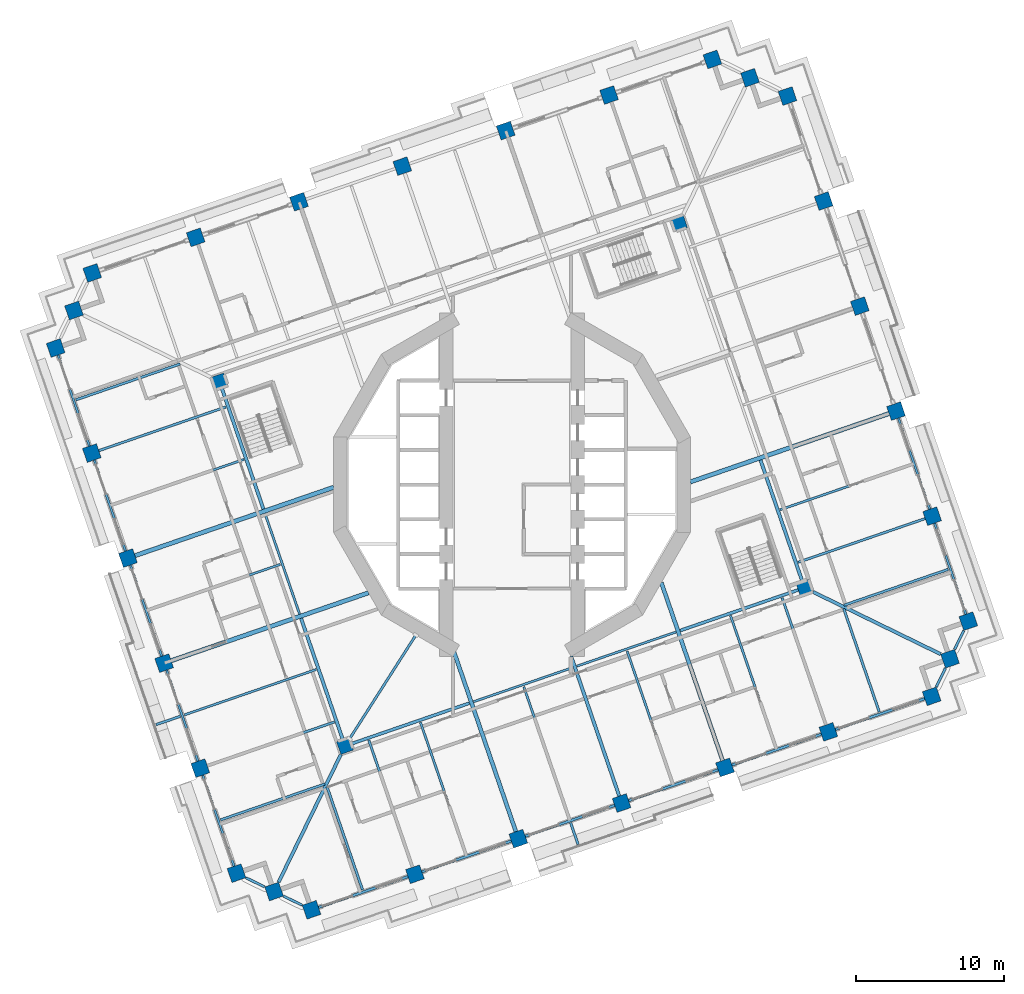
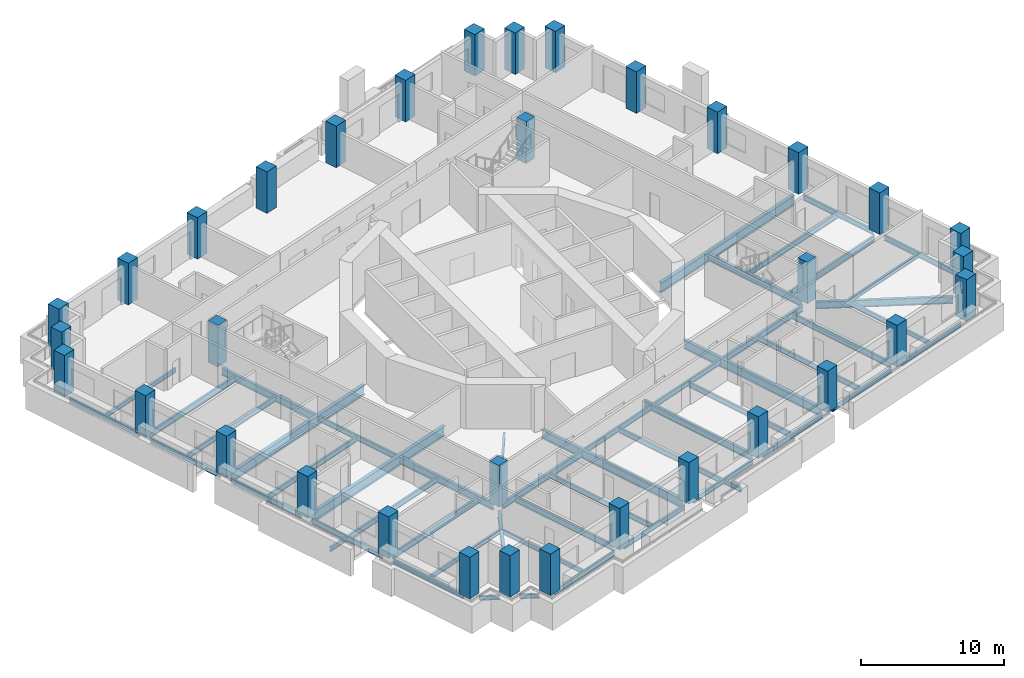
# One storey, part 1 of 18: 54 beams, 34 columns.
"""IFC4 building model written with IfcOpenShell, lengths in metres."""

from ifc_helpers import new_model, si_unit, direction, frame, origin, origin_2d, place, context, subcontext, project, spatial, rectangle, i_section, extrude, material, material_profile, profile_set, type_object, element, save


model = new_model("IFC4")

# Units and contexts
model_context = context("Model", 3, precision=1e-05, world=origin(), true_north=direction((0.0, 1.0)))
body_context = subcontext(model_context, "Body", "Model", "MODEL_VIEW")
ifc_project = project(units=[si_unit("LENGTHUNIT", "METRE"), si_unit("AREAUNIT", "SQUARE_METRE"), si_unit("VOLUMEUNIT", "CUBIC_METRE"), si_unit("PLANEANGLEUNIT", "RADIAN"), si_unit("MASSUNIT", "GRAM", prefix="KILO")], contexts=[model_context])

# Site, building, storey
site_placement = place(None, origin())
site = spatial("IfcSite", under=ifc_project, at=site_placement, CompositionType="ELEMENT")
building_placement = place(site_placement, origin())
building = spatial("IfcBuilding", under=site, at=building_placement, Name="Cantera Rosa Tower", CompositionType="ELEMENT")
storey_placement = place(building_placement, frame((0.0, 0.0, 134.5)))
storey = spatial("IfcBuildingStorey", under=building, at=storey_placement, Name="L28", CompositionType="ELEMENT", Elevation=134.5)

# Columns
ifc_material_1 = material(Name="Concrete C70/85", Category="concrete")
ifc_material_profile_1 = material_profile(ifc_material_1, rectangle(XDim=1.0, YDim=1.0, at=origin_2d()), Name="RC COLUMN RC1000X1000 C70/85")
ifc_profile_set_1 = profile_set([ifc_material_profile_1], Name="Concrete C70/85")
column_type_1 = type_object("IfcColumnType", Name="RC COLUMN RC1000X1000 C70/85", PredefinedType="COLUMN", material=ifc_profile_set_1)
for number, where, z_axis, x_axis, name in (
    (1, (30.893310546875, -9.245849609375, 0.0), (0.0, 0.0, 1.0), (0.945518575599, 0.325568154457, 0.0), "C-Z2-01 L28"),
    (2, (28.445068359375, -2.135498046875, 0.0), (0.0, 0.0, 1.0), (0.945518575599, 0.325568154457, 0.0), "C-Z2-02 L28"),
    (3, (25.996826171875, 4.974853515625, 0.0), (0.0, 0.0, 1.0), (0.945518575599, 0.325568154457, 0.0), "C-Z2-03 L28"),
    (4, (23.54833984375, 12.0849609375, 0.0), (0.0, 0.0, 1.0), (0.945518575599, 0.325568154457, 0.0), "C-Z2-04 L28"),
    (5, (21.10009765625, 19.1953125, 0.0), (0.0, 0.0, 1.0), (0.945518575599, 0.325568154457, 0.0), "C-Z2-05 L28"),
    (6, (18.65185546875, 26.3056640625, 0.0), (0.0, 0.0, 1.0), (0.945518575599, 0.325568154457, 0.0), "C-Z2-06 L28"),
    (7, (16.109619140625, 27.545654296875, 0.0), (0.0, 0.0, 1.0), (0.945518575599, 0.325568154457, 0.0), "C-Z2-07 L28"),
    (8, (13.567626953125, 28.785400390625, 0.0), (0.0, 0.0, 1.0), (0.945518575599, 0.325568154457, 0.0), "C-Z2-08 L28"),
    (9, (6.57080078125, 26.376220703125, 0.0), (0.0, 0.0, 1.0), (0.945518575599, 0.325568154457, 0.0), "C-Z2-09 L28"),
    (10, (-0.426025390625, 23.967041015625, 0.0), (0.0, 0.0, 1.0), (0.945518575599, 0.325568154457, 0.0), "C-Z2-10 L28"),
    (11, (-7.4228515625, 21.557861328125, 0.0), (0.0, 0.0, 1.0), (0.945518575599, 0.325568154457, 0.0), "C-Z2-11 L28"),
    (12, (-14.419677734375, 19.148681640625, 0.0), (0.0, 0.0, 1.0), (0.945518575599, 0.325568154457, 0.0), "C-Z2-12 L28"),
    (13, (-21.416748046875, 16.739501953125, 0.0), (0.0, 0.0, 1.0), (0.945518575599, 0.325568154457, 0.0), "C-Z2-13 L28"),
    (14, (-28.41357421875, 14.330322265625, 0.0), (0.0, 0.0, 1.0), (0.945518575599, 0.325568154457, 0.0), "C-Z2-14 L28"),
    (15, (-29.6533203125, 11.7880859375, 0.0), (0.0, 0.0, 1.0), (0.945518575599, 0.325568154457, 0.0), "C-Z2-15 L28"),
    (16, (-30.893310546875, 9.245849609375, 0.0), (0.0, 0.0, 1.0), (0.945518575599, 0.325568154457, 0.0), "C-Z2-16 L28"),
    (17, (-28.445068359375, 2.135498046875, 0.0), (0.0, 0.0, 1.0), (0.945518575599, 0.325568154457, 0.0), "C-Z2-17 L28"),
    (18, (-25.996826171875, -4.974853515625, 0.0), (0.0, 0.0, 1.0), (0.945518575599, 0.325568154457, 0.0), "C-Z2-18 L28"),
    (19, (-23.54833984375, -12.0849609375, 0.0), (0.0, 0.0, 1.0), (0.945518575599, 0.325568154457, 0.0), "C-Z2-19 L28"),
    (20, (-21.10009765625, -19.1953125, 0.0), (0.0, 0.0, 1.0), (0.945518575599, 0.325568154457, 0.0), "C-Z2-20 L28"),
    (21, (-18.65185546875, -26.3056640625, 0.0), (0.0, 0.0, 1.0), (0.945518575599, 0.325568154457, 0.0), "C-Z2-21 L28"),
    (22, (-16.109619140625, -27.545654296875, 0.0), (0.0, 0.0, 1.0), (0.945518575599, 0.325568154457, 0.0), "C-Z2-22 L28"),
    (23, (-13.567626953125, -28.785400390625, 0.0), (0.0, 0.0, 1.0), (0.945518575599, 0.325568154457, 0.0), "C-Z2-23 L28"),
    (24, (-6.57080078125, -26.376220703125, 0.0), (0.0, 0.0, 1.0), (0.945518575599, 0.325568154457, 0.0), "C-Z2-24 L28"),
    (25, (0.426025390625, -23.967041015625, 0.0), (0.0, 0.0, 1.0), (0.945518575599, 0.325568154457, 0.0), "C-Z2-25 L28"),
    (26, (7.4228515625, -21.557861328125, 0.0), (0.0, 0.0, 1.0), (0.945518575599, 0.325568154457, 0.0), "C-Z2-26 L28"),
    (27, (14.419677734375, -19.148681640625, 0.0), (0.0, 0.0, 1.0), (0.945518575599, 0.325568154457, 0.0), "C-Z2-27 L28"),
    (28, (21.416748046875, -16.739501953125, 0.0), (0.0, 0.0, 1.0), (0.945518575599, 0.325568154457, 0.0), "C-Z2-28 L28"),
    (29, (28.41357421875, -14.330322265625, 0.0), (0.0, 0.0, 1.0), (0.945518575599, 0.325568154457, 0.0), "C-Z2-29 L28"),
    (30, (29.6533203125, -11.7880859375, 0.0), (0.0, 0.0, 1.0), (0.945518575599, 0.325568154457, 0.0), "C-Z2-30 L28"),
):
    element("IfcColumn", number, at=place(storey_placement, frame(where, z_axis=z_axis, x_axis=x_axis)), inside=storey, type_object=column_type_1, Name=name, PredefinedType="COLUMN", context=body_context, shape_type="SweptSolid", body=[
        extrude(rectangle(XDim=1.0, YDim=1.0, at=origin_2d()), origin(), (0.0, 0.0, 1.0), 3.550048828125),
    ])
ifc_material_2 = material(Name="Concrete C70/85", Category="concrete")
ifc_material_profile_2 = material_profile(ifc_material_2, rectangle(XDim=0.89990234375, YDim=0.89990234375, at=origin_2d()), Name="RC RING COLUMN RC900X900 C70/85")
ifc_profile_set_2 = profile_set([ifc_material_profile_2], Name="Concrete C70/85")
column_type_2 = type_object("IfcColumnType", Name="RC RING COLUMN RC900X900 C70/85", PredefinedType="COLUMN", material=ifc_profile_set_2)
for number, where, z_axis, x_axis, name in (
    (31, (11.30517578125, 17.694580078125, 0.0), (0.0, 0.0, 1.0), (0.945518575599, 0.325568154457, 0.0), "CI-Z2-1 L28"),
    (32, (-19.802490234375, 6.9833984375, 0.0), (0.0, 0.0, 1.0), (0.945518575599, 0.325568154457, 0.0), "CI-Z2-2 L28"),
    (33, (-11.30517578125, -17.694580078125, 0.0), (0.0, 0.0, 1.0), (0.945518575599, 0.325568154457, 0.0), "CI-Z2-3 L28"),
    (34, (19.802490234375, -6.9833984375, 0.0), (0.0, 0.0, 1.0), (0.945518575599, 0.325568154457, 0.0), "CI-Z2-4 L28"),
):
    element("IfcColumn", number, at=place(storey_placement, frame(where, z_axis=z_axis, x_axis=x_axis)), inside=storey, type_object=column_type_2, Name=name, PredefinedType="COLUMN", context=body_context, shape_type="SweptSolid", body=[
        extrude(rectangle(XDim=0.89990234375, YDim=0.89990234375, at=origin_2d()), origin(), (0.0, 0.0, 1.0), 3.550048828125),
    ])

# Beams
ifc_material_3 = material(Name="Steel ASTM A992 (Fy 345 MPa)", Category="steel")
ifc_material_profile_3 = material_profile(ifc_material_3, i_section(OverallWidth=0.154052734375, OverallDepth=0.4599609375, WebThickness=0.009033203125, FlangeThickness=0.015380859375, FilletRadius=0.01025390625, at=origin_2d()), Name="W460X68")
ifc_profile_set_3 = profile_set([ifc_material_profile_3], Name="Steel ASTM A992 (Fy 345 MPa)")
beam_type_1 = type_object("IfcBeamType", Name="STEEL BEAM W460X68", PredefinedType="BEAM", material=ifc_profile_set_3)
for number, where, z_axis, x_axis, name in (
    (35, (-2.6064453125, -14.699462890625, -0.47998046875), (0.9455219702, 0.325558295653, 0.0), (-0.325558295653, 0.9455219702, 0.0), "RB-Z2-06 L28"),
    (36, (4.390380859375, -12.290283203125, -0.47998046875), (0.9455219702, 0.325558295653, 0.0), (-0.325558295653, 0.9455219702, 0.0), "RB-Z2-07 L28"),
):
    element("IfcBeam", number, at=place(storey_placement, frame(where, z_axis=z_axis, x_axis=x_axis)), inside=storey, type_object=beam_type_1, Name=name, PredefinedType="BEAM", context=body_context, shape_type="SweptSolid", body=[
        extrude(i_section(OverallWidth=0.154052734375, OverallDepth=0.4599609375, WebThickness=0.009033203125, FlangeThickness=0.015380859375, FilletRadius=0.01025390625, at=origin_2d()), origin(), (0.0, 0.0, 1.0), 7.10009765625),
    ])
beam_1_placement = place(storey_placement, frame((-14.37841796875, -8.768798828125, -0.47998046875), z_axis=(-0.325575881702, 0.94551591486, 0.0), x_axis=(-0.94551591486, -0.325575881702, 0.0)))
element("IfcBeam", 37, at=beam_1_placement, inside=storey, type_object=beam_type_1, Name="RB-Z2-13 L28", PredefinedType="BEAM", context=body_context, shape_type="SweptSolid", body=[
    extrude(i_section(OverallWidth=0.154052734375, OverallDepth=0.4599609375, WebThickness=0.009033203125, FlangeThickness=0.015380859375, FilletRadius=0.01025390625, at=origin_2d()), origin(), (0.0, 0.0, 1.0), 7.2197265625),
])
ifc_material_4 = material(Name="Steel ASTM A992 (Fy 345 MPa)", Category="steel")
ifc_material_profile_4 = material_profile(ifc_material_4, i_section(OverallWidth=0.166015625, OverallDepth=0.528076171875, WebThickness=0.009765625, FlangeThickness=0.013671875, FilletRadius=0.0126953125, at=origin_2d()), Name="W530X74")
ifc_profile_set_4 = profile_set([ifc_material_profile_4], Name="Steel ASTM A992 (Fy 345 MPa)")
beam_type_2 = type_object("IfcBeamType", Name="STEEL BEAM W530X74", PredefinedType="BEAM", material=ifc_profile_set_4)
for number, where, z_axis, x_axis, name in (
    (38, (27.97216796875, -2.29833984375, -0.513916015625), (-0.94551971591, -0.325564842737, 0.0), (0.325564842737, -0.94551971591, 0.0), "G-Z2-01 L28"),
    (39, (-6.7333984375, -25.903564453125, -0.513916015625), (-0.325588827377, 0.945511457089, 0.0), (-0.945511457089, -0.325588827377, 0.0), "G-Z2-10 L28"),
    (40, (21.25390625, -16.2666015625, -0.513916015625), (-0.325564842737, 0.94551971591, 0.0), (-0.94551971591, -0.325564842737, 0.0), "G-Z2-14 L28"),
    (41, (-27.97216796875, 2.29833984375, -0.513916015625), (0.94551971591, 0.325564842737, 0.0), (-0.325564842737, 0.94551971591, 0.0), "G-Z2-15 L28"),
    (42, (-20.62744140625, -19.032470703125, -0.513916015625), (0.94551971591, 0.325564842737, 0.0), (-0.325564842737, 0.94551971591, 0.0), "G-Z2-18 L28"),
):
    element("IfcBeam", number, at=place(storey_placement, frame(where, z_axis=z_axis, x_axis=x_axis)), inside=storey, type_object=beam_type_2, Name=name, PredefinedType="BEAM", context=body_context, shape_type="SweptSolid", body=[
        extrude(i_section(OverallWidth=0.166015625, OverallDepth=0.528076171875, WebThickness=0.009765625, FlangeThickness=0.013671875, FilletRadius=0.0126953125, at=origin_2d()), origin(), (0.0, 0.0, 1.0), 9.10009765625),
    ])
beam_2_placement = place(storey_placement, frame((-10.995849609375, -17.21044921875, -0.513916015625), z_axis=(0.538396209095, 0.842691830999, 0.0), x_axis=(-0.842691830999, 0.538396209095, 0.0)))
element("IfcBeam", 43, at=beam_2_placement, inside=storey, type_object=beam_type_2, Name="PG-Z2-01 L28", PredefinedType="BEAM", context=body_context, shape_type="SweptSolid", body=[
    extrude(i_section(OverallWidth=0.166015625, OverallDepth=0.528076171875, WebThickness=0.009765625, FlangeThickness=0.013671875, FilletRadius=0.0126953125, at=origin_2d()), origin(), (0.0, 0.0, 1.0), 8.3369140625),
])
ifc_material_5 = material(Name="Steel ASTM A992 (Fy 345 MPa)", Category="steel")
ifc_material_profile_5 = material_profile(ifc_material_5, i_section(OverallWidth=0.208984375, OverallDepth=0.532958984375, WebThickness=0.01025390625, FlangeThickness=0.015625, FilletRadius=0.0126953125, at=origin_2d()), Name="W530X92")
ifc_profile_set_5 = profile_set([ifc_material_profile_5], Name="Steel ASTM A992 (Fy 345 MPa)")
beam_type_3 = type_object("IfcBeamType", Name="STEEL BEAM W530X92", PredefinedType="BEAM", material=ifc_profile_set_5)
beam_3_placement = place(storey_placement, frame((-10.879638671875, -17.548095703125, -0.5166015625), z_axis=(0.945522715377, 0.325556131421, 0.0), x_axis=(-0.325556131421, 0.945522715377, 0.0)))
element("IfcBeam", 44, at=beam_3_placement, inside=storey, type_object=beam_type_3, Name="RB-Z2-05 L28", PredefinedType="BEAM", context=body_context, shape_type="SweptSolid", body=[
    extrude(i_section(OverallWidth=0.208984375, OverallDepth=0.532958984375, WebThickness=0.01025390625, FlangeThickness=0.015625, FilletRadius=0.0126953125, at=origin_2d()), origin(), (0.0, 0.0, 1.0), 8.4501953125),
])
beam_4_placement = place(storey_placement, frame((11.387451171875, -9.880859375, -0.5166015625), z_axis=(0.945519653071, 0.325565025235, 0.0), x_axis=(-0.325565025235, 0.945519653071, 0.0)))
element("IfcBeam", 45, at=beam_4_placement, inside=storey, type_object=beam_type_3, Name="RB-Z2-08 L28", PredefinedType="BEAM", context=body_context, shape_type="SweptSolid", body=[
    extrude(i_section(OverallWidth=0.208984375, OverallDepth=0.532958984375, WebThickness=0.01025390625, FlangeThickness=0.015625, FilletRadius=0.0126953125, at=origin_2d()), origin(), (0.0, 0.0, 1.0), 8.449951171875),
])
ifc_material_6 = material(Name="Steel ASTM A992 (Fy 345 MPa)", Category="steel")
ifc_material_profile_6 = material_profile(ifc_material_6, i_section(OverallWidth=0.22802734375, OverallDepth=0.60205078125, WebThickness=0.010498046875, FlangeThickness=0.014892578125, FilletRadius=0.0126953125, at=origin_2d()), Name="W610X101")
ifc_profile_set_6 = profile_set([ifc_material_profile_6], Name="Steel ASTM A992 (Fy 345 MPa)")
beam_type_4 = type_object("IfcBeamType", Name="STEEL BEAM W610X101", PredefinedType="BEAM", material=ifc_profile_set_6)
beam_5_placement = place(storey_placement, frame((-15.7998046875, -26.909912109375, -0.551025390625), z_axis=(0.438387618569, 0.898786012288, 0.0), x_axis=(-0.898786012288, 0.438387618569, 0.0)))
element("IfcBeam", 46, at=beam_5_placement, inside=storey, type_object=beam_type_4, Name="CB-Z2-03 L28", PredefinedType="BEAM", context=body_context, shape_type="SweptSolid", body=[
    extrude(i_section(OverallWidth=0.22802734375, OverallDepth=0.60205078125, WebThickness=0.010498046875, FlangeThickness=0.014892578125, FilletRadius=0.0126953125, at=origin_2d()), origin(), (0.0, 0.0, 1.0), 9.61669921875),
])
beam_6_placement = place(storey_placement, frame((29.017822265625, -11.47802734375, -0.551025390625), z_axis=(-0.898796015179, 0.438367109965, 0.0), x_axis=(-0.438367109965, -0.898796015179, 0.0)))
element("IfcBeam", 47, at=beam_6_placement, inside=storey, type_object=beam_type_4, Name="CB-Z2-04 L28", PredefinedType="BEAM", context=body_context, shape_type="SweptSolid", body=[
    extrude(i_section(OverallWidth=0.22802734375, OverallDepth=0.60205078125, WebThickness=0.010498046875, FlangeThickness=0.014892578125, FilletRadius=0.0126953125, at=origin_2d()), origin(), (0.0, 0.0, 1.0), 9.616455078125),
])
beam_7_placement = place(storey_placement, frame((7.26025390625, -21.0849609375, -0.551025390625), z_axis=(-0.325587365823, 0.945511960377, 0.0), x_axis=(-0.945511960377, -0.325587365823, 0.0)))
element("IfcBeam", 48, at=beam_7_placement, inside=storey, type_object=beam_type_4, Name="G-Z2-12 L28", PredefinedType="BEAM", context=body_context, shape_type="SweptSolid", body=[
    extrude(i_section(OverallWidth=0.22802734375, OverallDepth=0.60205078125, WebThickness=0.010498046875, FlangeThickness=0.014892578125, FilletRadius=0.0126953125, at=origin_2d()), origin(), (0.0, 0.0, 1.0), 10.0),
])
for number, where, z_axis, x_axis, name in (
    (49, (19.656005859375, -6.557861328125, -0.551025390625), (-0.325584584945, 0.945512917969, 0.0), (-0.945512917969, -0.325584584945, 0.0), "RB-Z2-09 L28"),
    (50, (-11.45166015625, -17.26904296875, -0.551025390625), (-0.325559468466, 0.945521566381, 0.0), (-0.945521566381, -0.325559468466, 0.0), "RB-Z2-12 L28"),
    (51, (-16.82666015625, -1.65869140625, -0.551025390625), (-0.325584584945, 0.945512917969, 0.0), (-0.945512917969, -0.325584584945, 0.0), "RB-Z2-14 L28"),
):
    element("IfcBeam", number, at=place(storey_placement, frame(where, z_axis=z_axis, x_axis=x_axis)), inside=storey, type_object=beam_type_4, Name=name, PredefinedType="BEAM", context=body_context, shape_type="SweptSolid", body=[
        extrude(i_section(OverallWidth=0.22802734375, OverallDepth=0.60205078125, WebThickness=0.010498046875, FlangeThickness=0.014892578125, FilletRadius=0.0126953125, at=origin_2d()), origin(), (0.0, 0.0, 1.0), 8.68994140625),
    ])
ifc_material_7 = material(Name="Steel ASTM A992 (Fy 345 MPa)", Category="steel")
ifc_material_profile_7 = material_profile(ifc_material_7, i_section(OverallWidth=0.26708984375, OverallDepth=0.75390625, WebThickness=0.01318359375, FlangeThickness=0.01708984375, FilletRadius=0.0166015625, at=origin_2d()), Name="W760X147")
ifc_profile_set_7 = profile_set([ifc_material_profile_7], Name="Steel ASTM A992 (Fy 345 MPa)")
beam_type_5 = type_object("IfcBeamType", Name="STEEL BEAM W760X147", PredefinedType="BEAM", material=ifc_profile_set_7)
beam_8_placement = place(storey_placement, frame((0.263427734375, -23.494384765625, -0.626953125), z_axis=(-0.325569500581, 0.945518112091, 0.0), x_axis=(-0.945518112091, -0.325569500581, 0.0)))
element("IfcBeam", 52, at=beam_8_placement, inside=storey, type_object=beam_type_5, Name="G-Z2-11 L28", PredefinedType="BEAM", context=body_context, shape_type="SweptSolid", body=[
    extrude(i_section(OverallWidth=0.26708984375, OverallDepth=0.75390625, WebThickness=0.01318359375, FlangeThickness=0.01708984375, FilletRadius=0.0166015625, at=origin_2d()), origin(), (0.0, 0.0, 1.0), 13.09521484375),
])
beam_9_placement = place(storey_placement, frame((14.257080078125, -18.67578125, -0.626953125), z_axis=(-0.325575880476, 0.945515915282, 0.0), x_axis=(-0.945515915282, -0.325575880476, 0.0)))
element("IfcBeam", 53, at=beam_9_placement, inside=storey, type_object=beam_type_5, Name="G-Z2-13 L28", PredefinedType="BEAM", context=body_context, shape_type="SweptSolid", body=[
    extrude(i_section(OverallWidth=0.26708984375, OverallDepth=0.75390625, WebThickness=0.01318359375, FlangeThickness=0.01708984375, FilletRadius=0.0166015625, at=origin_2d()), origin(), (0.0, 0.0, 1.0), 12.734375),
])
ifc_material_8 = material(Name="Steel ASTM A992 (Fy 345 MPa)", Category="steel")
ifc_material_profile_8 = material_profile(ifc_material_8, i_section(OverallWidth=0.2919921875, OverallDepth=0.8359375, WebThickness=0.013916015625, FlangeThickness=0.018798828125, FilletRadius=0.017822265625, at=origin_2d()), Name="W840X176")
ifc_profile_set_8 = profile_set([ifc_material_profile_8], Name="Steel ASTM A992 (Fy 345 MPa)")
beam_type_6 = type_object("IfcBeamType", Name="STEEL BEAM W840X176", PredefinedType="BEAM", material=ifc_profile_set_8)
for number, where, z_axis, x_axis, name in (
    (54, (25.52392578125, 4.81201171875, -0.66796875), (-0.945515154884, -0.325578088765, 0.0), (0.325578088765, -0.945515154884, 0.0), "G-Z2-02 L28"),
    (55, (-25.52392578125, -4.81201171875, -0.66796875), (0.945515154884, 0.325578088765, 0.0), (-0.325578088765, 0.945515154884, 0.0), "G-Z2-16 L28"),
):
    element("IfcBeam", number, at=place(storey_placement, frame(where, z_axis=z_axis, x_axis=x_axis)), inside=storey, type_object=beam_type_6, Name=name, PredefinedType="BEAM", context=body_context, shape_type="SweptSolid", body=[
        extrude(i_section(OverallWidth=0.2919921875, OverallDepth=0.8359375, WebThickness=0.013916015625, FlangeThickness=0.018798828125, FilletRadius=0.017822265625, at=origin_2d()), origin(), (0.0, 0.0, 1.0), 14.22509765625),
    ])
beam_10_placement = place(storey_placement, frame((-23.07568359375, -11.92236328125, -0.66796875), z_axis=(0.945516836256, 0.325573205833, 0.0), x_axis=(-0.325573205833, 0.945516836256, 0.0)))
element("IfcBeam", 56, at=beam_10_placement, inside=storey, type_object=beam_type_6, Name="G-Z2-17 L28", PredefinedType="BEAM", context=body_context, shape_type="SweptSolid", body=[
    extrude(i_section(OverallWidth=0.2919921875, OverallDepth=0.8359375, WebThickness=0.013916015625, FlangeThickness=0.018798828125, FilletRadius=0.017822265625, at=origin_2d()), origin(), (0.0, 0.0, 1.0), 14.130615234375),
])
ifc_material_9 = material(Name="Steel ASTM A992 (Fy 345 MPa)", Category="steel")
ifc_material_profile_9 = material_profile(ifc_material_9, i_section(OverallWidth=0.1708984375, OverallDepth=0.35595703125, WebThickness=0.00732421875, FlangeThickness=0.01171875, FilletRadius=0.010009765625, at=origin_2d()), Name="W360X51")
ifc_profile_set_9 = profile_set([ifc_material_profile_9], Name="Steel ASTM A992 (Fy 345 MPa)")
beam_type_7 = type_object("IfcBeamType", Name="STEEL JOIST W360X51", PredefinedType="JOIST", material=ifc_profile_set_9)
beam_11_placement = place(storey_placement, frame((29.52734375, -5.739501953125, -0.427978515625), z_axis=(-0.945521732807, -0.325558985116, 0.0), x_axis=(0.325558985116, -0.945521732807, 0.0)))
element("IfcBeam", 57, at=beam_11_placement, inside=storey, type_object=beam_type_7, Name="B-Z2-01 L28", PredefinedType="JOIST", context=body_context, shape_type="SweptSolid", body=[
    extrude(i_section(OverallWidth=0.1708984375, OverallDepth=0.35595703125, WebThickness=0.00732421875, FlangeThickness=0.01171875, FilletRadius=0.010009765625, at=origin_2d()), origin(), (0.0, 0.0, 1.0), 7.460205078125),
])
for number, where, z_axis, x_axis, name in (
    (58, (-10.117919921875, -27.43896484375, -0.427978515625), (-0.325565645331, 0.945519439557, 0.0), (-0.945519439557, -0.325565645331, 0.0), "B-Z2-12 L28"),
    (59, (24.8662109375, -15.39306640625, -0.427978515625), (-0.325565645331, 0.945519439557, 0.0), (-0.945519439557, -0.325565645331, 0.0), "B-Z2-17 L28"),
):
    element("IfcBeam", number, at=place(storey_placement, frame(where, z_axis=z_axis, x_axis=x_axis)), inside=storey, type_object=beam_type_7, Name=name, PredefinedType="JOIST", context=body_context, shape_type="SweptSolid", body=[
        extrude(i_section(OverallWidth=0.1708984375, OverallDepth=0.35595703125, WebThickness=0.00732421875, FlangeThickness=0.01171875, FilletRadius=0.010009765625, at=origin_2d()), origin(), (0.0, 0.0, 1.0), 7.39990234375),
    ])
beam_12_placement = place(storey_placement, frame((-29.52734375, 5.739501953125, -0.427978515625), z_axis=(0.945521732807, 0.325558985116, 0.0), x_axis=(-0.325558985116, 0.945521732807, 0.0)))
element("IfcBeam", 60, at=beam_12_placement, inside=storey, type_object=beam_type_7, Name="B-Z2-18 L28", PredefinedType="JOIST", context=body_context, shape_type="SweptSolid", body=[
    extrude(i_section(OverallWidth=0.1708984375, OverallDepth=0.35595703125, WebThickness=0.00732421875, FlangeThickness=0.01171875, FilletRadius=0.010009765625, at=origin_2d()), origin(), (0.0, 0.0, 1.0), 7.460205078125),
])
beam_13_placement = place(storey_placement, frame((-19.734130859375, -22.70166015625, -0.427978515625), z_axis=(0.945518264054, 0.32556905925, 0.0), x_axis=(-0.32556905925, 0.945518264054, 0.0)))
element("IfcBeam", 61, at=beam_13_placement, inside=storey, type_object=beam_type_7, Name="B-Z2-22 L28", PredefinedType="JOIST", context=body_context, shape_type="SweptSolid", body=[
    extrude(i_section(OverallWidth=0.1708984375, OverallDepth=0.35595703125, WebThickness=0.00732421875, FlangeThickness=0.01171875, FilletRadius=0.010009765625, at=origin_2d()), origin(), (0.0, 0.0, 1.0), 7.4599609375),
])
beam_14_placement = place(storey_placement, frame((-22.447265625, -15.6826171875, -0.427978515625), z_axis=(-0.945557978721, -0.32545369698, 0.0), x_axis=(0.32545369698, -0.945557978721, 0.0)))
element("IfcBeam", 62, at=beam_14_placement, inside=storey, type_object=beam_type_7, Name="BS-Z2-18 L28", PredefinedType="JOIST", context=body_context, shape_type="SweptSolid", body=[
    extrude(i_section(OverallWidth=0.1708984375, OverallDepth=0.35595703125, WebThickness=0.00732421875, FlangeThickness=0.01171875, FilletRadius=0.010009765625, at=origin_2d()), origin(), (0.0, 0.0, 1.0), 1.751708984375),
])
beam_15_placement = place(storey_placement, frame((3.966796875, -22.88525390625, -0.427978515625), z_axis=(0.325526728538, -0.945532838672, 0.0), x_axis=(0.945532838672, 0.325526728538, 0.0)))
element("IfcBeam", 63, at=beam_15_placement, inside=storey, type_object=beam_type_7, Name="BS-Z2-19 L28", PredefinedType="JOIST", context=body_context, shape_type="SweptSolid", body=[
    extrude(i_section(OverallWidth=0.1708984375, OverallDepth=0.35595703125, WebThickness=0.00732421875, FlangeThickness=0.01171875, FilletRadius=0.010009765625, at=origin_2d()), origin(), (0.0, 0.0, 1.0), 1.556884765625),
])
ifc_material_10 = material(Name="Steel ASTM A992 (Fy 345 MPa)", Category="steel")
ifc_material_profile_10 = material_profile(ifc_material_10, i_section(OverallWidth=0.154052734375, OverallDepth=0.4599609375, WebThickness=0.009033203125, FlangeThickness=0.015380859375, FilletRadius=0.01025390625, at=origin_2d()), Name="W460X68")
ifc_profile_set_10 = profile_set([ifc_material_profile_10], Name="Steel ASTM A992 (Fy 345 MPa)")
beam_type_8 = type_object("IfcBeamType", Name="STEEL JOIST W460X68", PredefinedType="JOIST", material=ifc_profile_set_10)
beam_16_placement = place(storey_placement, frame((27.0791015625, 1.370849609375, -0.47998046875), z_axis=(-0.945518943957, -0.325567084667, 0.0), x_axis=(0.325567084667, -0.945518943957, 0.0)))
element("IfcBeam", 64, at=beam_16_placement, inside=storey, type_object=beam_type_8, Name="B-Z2-02 L28", PredefinedType="JOIST", context=body_context, shape_type="SweptSolid", body=[
    extrude(i_section(OverallWidth=0.154052734375, OverallDepth=0.4599609375, WebThickness=0.009033203125, FlangeThickness=0.015380859375, FilletRadius=0.01025390625, at=origin_2d()), origin(), (0.0, 0.0, 1.0), 9.4501953125),
])
for number, where, z_axis, x_axis, name in (
    (65, (-3.12109375, -25.02978515625, -0.47998046875), (-0.325575037498, 0.94551620555, 0.0), (-0.94551620555, -0.325575037498, 0.0), "B-Z2-13 L28"),
    (66, (3.875732421875, -22.62060546875, -0.47998046875), (-0.325575037498, 0.94551620555, 0.0), (-0.94551620555, -0.325575037498, 0.0), "B-Z2-14 L28"),
):
    element("IfcBeam", number, at=place(storey_placement, frame(where, z_axis=z_axis, x_axis=x_axis)), inside=storey, type_object=beam_type_8, Name=name, PredefinedType="JOIST", context=body_context, shape_type="SweptSolid", body=[
        extrude(i_section(OverallWidth=0.154052734375, OverallDepth=0.4599609375, WebThickness=0.009033203125, FlangeThickness=0.015380859375, FilletRadius=0.01025390625, at=origin_2d()), origin(), (0.0, 0.0, 1.0), 9.449951171875),
    ])
for number, where, z_axis, x_axis, name in (
    (67, (10.87255859375, -20.21142578125, -0.47998046875), (-0.325567084667, 0.945518943957, 0.0), (-0.945518943957, -0.325567084667, 0.0), "B-Z2-15 L28"),
    (68, (17.869384765625, -17.80224609375, -0.47998046875), (-0.325567084667, 0.945518943957, 0.0), (-0.945518943957, -0.325567084667, 0.0), "B-Z2-16 L28"),
    (69, (-27.0791015625, -1.370849609375, -0.47998046875), (0.945518943957, 0.325567084667, 0.0), (-0.325567084667, 0.945518943957, 0.0), "B-Z2-19 L28"),
    (70, (-24.630859375, -8.48095703125, -0.47998046875), (0.945526896389, 0.325543988125, 0.0), (-0.325543988125, 0.945526896389, 0.0), "B-Z2-20 L28"),
):
    element("IfcBeam", number, at=place(storey_placement, frame(where, z_axis=z_axis, x_axis=x_axis)), inside=storey, type_object=beam_type_8, Name=name, PredefinedType="JOIST", context=body_context, shape_type="SweptSolid", body=[
        extrude(i_section(OverallWidth=0.154052734375, OverallDepth=0.4599609375, WebThickness=0.009033203125, FlangeThickness=0.015380859375, FilletRadius=0.01025390625, at=origin_2d()), origin(), (0.0, 0.0, 1.0), 9.4501953125),
    ])
beam_17_placement = place(storey_placement, frame((-22.182373046875, -15.59130859375, -0.47998046875), z_axis=(0.94551620555, 0.325575037498, 0.0), x_axis=(-0.325575037498, 0.94551620555, 0.0)))
element("IfcBeam", 71, at=beam_17_placement, inside=storey, type_object=beam_type_8, Name="B-Z2-21 L28", PredefinedType="JOIST", context=body_context, shape_type="SweptSolid", body=[
    extrude(i_section(OverallWidth=0.154052734375, OverallDepth=0.4599609375, WebThickness=0.009033203125, FlangeThickness=0.015380859375, FilletRadius=0.01025390625, at=origin_2d()), origin(), (0.0, 0.0, 1.0), 9.449951171875),
])
ifc_material_11 = material(Name="Steel ASTM A992 (Fy 345 MPa)", Category="steel")
ifc_material_profile_11 = material_profile(ifc_material_11, i_section(OverallWidth=0.1708984375, OverallDepth=0.35595703125, WebThickness=0.00732421875, FlangeThickness=0.01171875, FilletRadius=0.010009765625, at=origin_2d()), Name="W360X51")
ifc_profile_set_11 = profile_set([ifc_material_profile_11], Name="Steel ASTM A992 (Fy 345 MPa)")
beam_type_9 = type_object("IfcBeamType", Name="STEEL SPANDREL BEAM W360X51", PredefinedType="SPANDREL", material=ifc_profile_set_11)
for number, where, z_axis, x_axis, name in (
    (72, (-18.016357421875, -26.61572265625, -0.427978515625), (0.898803287583, -0.438352198842, 0.0), (0.438352198842, 0.898803287583, 0.0), "EB-Z2-21 L28"),
    (73, (-15.47412109375, -27.85546875, -0.427978515625), (0.898803287583, -0.438352198842, 0.0), (0.438352198842, 0.898803287583, 0.0), "EB-Z2-22 L28"),
):
    element("IfcBeam", number, at=place(storey_placement, frame(where, z_axis=z_axis, x_axis=x_axis)), inside=storey, type_object=beam_type_9, Name=name, PredefinedType="SPANDREL", context=body_context, shape_type="SweptSolid", body=[
        extrude(i_section(OverallWidth=0.1708984375, OverallDepth=0.35595703125, WebThickness=0.00732421875, FlangeThickness=0.01171875, FilletRadius=0.010009765625, at=origin_2d()), origin(), (0.0, 0.0, 1.0), 1.4140625),
    ])
for number, where, z_axis, x_axis, name in (
    (74, (28.723388671875, -13.694580078125, -0.427978515625), (0.438491655897, 0.898735260079, 0.0), (-0.898735260079, 0.438491655897, 0.0), "EB-Z2-29 L28"),
    (75, (29.96337890625, -11.152587890625, -0.427978515625), (0.438284186308, 0.898836454552, 0.0), (-0.898836454552, 0.438284186308, 0.0), "EB-Z2-30 L28"),
):
    element("IfcBeam", number, at=place(storey_placement, frame(where, z_axis=z_axis, x_axis=x_axis)), inside=storey, type_object=beam_type_9, Name=name, PredefinedType="SPANDREL", context=body_context, shape_type="SweptSolid", body=[
        extrude(i_section(OverallWidth=0.1708984375, OverallDepth=0.35595703125, WebThickness=0.00732421875, FlangeThickness=0.01171875, FilletRadius=0.010009765625, at=origin_2d()), origin(), (0.0, 0.0, 1.0), 1.414306640625),
    ])
ifc_material_12 = material(Name="Steel ASTM A992 (Fy 345 MPa)", Category="steel")
ifc_material_profile_12 = material_profile(ifc_material_12, i_section(OverallWidth=0.177978515625, OverallDepth=0.406005859375, WebThickness=0.0078125, FlangeThickness=0.0126953125, FilletRadius=0.01025390625, at=origin_2d()), Name="W410X60")
ifc_profile_set_12 = profile_set([ifc_material_profile_12], Name="Steel ASTM A992 (Fy 345 MPa)")
beam_type_10 = type_object("IfcBeamType", Name="STEEL SPANDREL BEAM W410X60", PredefinedType="SPANDREL", material=ifc_profile_set_12)
for number, where, z_axis, x_axis, name in (
    (76, (-13.0947265625, -28.62255859375, -0.452880859375), (0.945524496524, 0.325550958337, 0.0), (-0.325550958337, 0.945524496524, 0.0), "EB-Z2-23 L28"),
    (77, (-6.097900390625, -26.21337890625, -0.452880859375), (0.945524496524, 0.325550958337, 0.0), (-0.325550958337, 0.945524496524, 0.0), "EB-Z2-24 L28"),
    (78, (0.89892578125, -23.80419921875, -0.452880859375), (0.945524496524, 0.325550958337, 0.0), (-0.325550958337, 0.945524496524, 0.0), "EB-Z2-25 L28"),
    (79, (7.895751953125, -21.39501953125, -0.452880859375), (0.945524496524, 0.325550958337, 0.0), (-0.325550958337, 0.945524496524, 0.0), "EB-Z2-26 L28"),
    (80, (14.892578125, -18.98583984375, -0.452880859375), (0.945512753621, 0.325585062219, 0.0), (-0.325585062219, 0.945512753621, 0.0), "EB-Z2-27 L28"),
    (81, (21.889404296875, -16.57666015625, -0.452880859375), (0.945512753621, 0.325585062219, 0.0), (-0.325585062219, 0.945512753621, 0.0), "EB-Z2-28 L28"),
):
    element("IfcBeam", number, at=place(storey_placement, frame(where, z_axis=z_axis, x_axis=x_axis)), inside=storey, type_object=beam_type_10, Name=name, PredefinedType="SPANDREL", context=body_context, shape_type="SweptSolid", body=[
        extrude(i_section(OverallWidth=0.177978515625, OverallDepth=0.406005859375, WebThickness=0.0078125, FlangeThickness=0.0126953125, FilletRadius=0.01025390625, at=origin_2d()), origin(), (0.0, 0.0, 1.0), 6.39990234375),
    ])
ifc_material_13 = material(Name="Steel ASTM A992 (Fy 345 MPa)", Category="steel")
ifc_material_profile_13 = material_profile(ifc_material_13, i_section(OverallWidth=0.154052734375, OverallDepth=0.4599609375, WebThickness=0.009033203125, FlangeThickness=0.015380859375, FilletRadius=0.01025390625, at=origin_2d()), Name="W460X68")
ifc_profile_set_13 = profile_set([ifc_material_profile_13], Name="Steel ASTM A992 (Fy 345 MPa)")
beam_type_11 = type_object("IfcBeamType", Name="STEEL SPANDREL BEAM W460X68", PredefinedType="SPANDREL", material=ifc_profile_set_13)
for number, where, z_axis, x_axis, name in (
    (82, (30.73046875, -8.773193359375, -0.47998046875), (-0.325580990241, 0.945514155787, 0.0), (-0.945514155787, -0.325580990241, 0.0), "EB-Z2-01 L28"),
    (83, (28.2822265625, -1.662841796875, -0.47998046875), (-0.325580990241, 0.945514155787, 0.0), (-0.945514155787, -0.325580990241, 0.0), "EB-Z2-02 L28"),
    (84, (-30.73046875, 8.773193359375, -0.47998046875), (0.325580990241, -0.945514155787, 0.0), (0.945514155787, 0.325580990241, 0.0), "EB-Z2-16 L28"),
    (85, (-28.2822265625, 1.662841796875, -0.47998046875), (0.325580990241, -0.945514155787, 0.0), (0.945514155787, 0.325580990241, 0.0), "EB-Z2-17 L28"),
    (86, (-25.833984375, -5.447509765625, -0.47998046875), (0.325580990241, -0.945514155787, 0.0), (0.945514155787, 0.325580990241, 0.0), "EB-Z2-18 L28"),
    (87, (-23.3857421875, -12.557861328125, -0.47998046875), (0.325580990241, -0.945514155787, 0.0), (0.945514155787, 0.325580990241, 0.0), "EB-Z2-19 L28"),
):
    element("IfcBeam", number, at=place(storey_placement, frame(where, z_axis=z_axis, x_axis=x_axis)), inside=storey, type_object=beam_type_11, Name=name, PredefinedType="SPANDREL", context=body_context, shape_type="SweptSolid", body=[
        extrude(i_section(OverallWidth=0.154052734375, OverallDepth=0.4599609375, WebThickness=0.009033203125, FlangeThickness=0.015380859375, FilletRadius=0.01025390625, at=origin_2d()), origin(), (0.0, 0.0, 1.0), 6.52001953125),
    ])
beam_18_placement = place(storey_placement, frame((-20.9375, -19.668212890625, -0.47998046875), z_axis=(0.325592517631, -0.945510186335, 0.0), x_axis=(0.945510186335, 0.325592517631, 0.0)))
element("IfcBeam", 88, at=beam_18_placement, inside=storey, type_object=beam_type_11, Name="EB-Z2-20 L28", PredefinedType="SPANDREL", context=body_context, shape_type="SweptSolid", body=[
    extrude(i_section(OverallWidth=0.154052734375, OverallDepth=0.4599609375, WebThickness=0.009033203125, FlangeThickness=0.015380859375, FilletRadius=0.01025390625, at=origin_2d()), origin(), (0.0, 0.0, 1.0), 6.519775390625),
])

save(model, "model.ifc")
